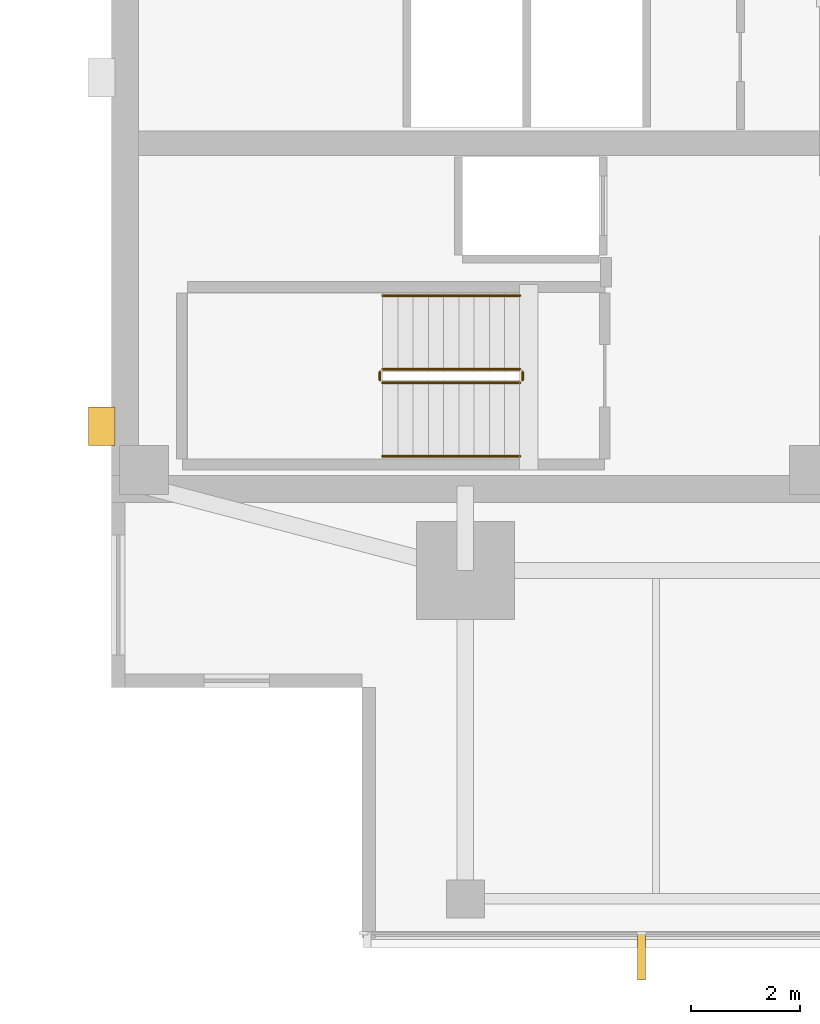
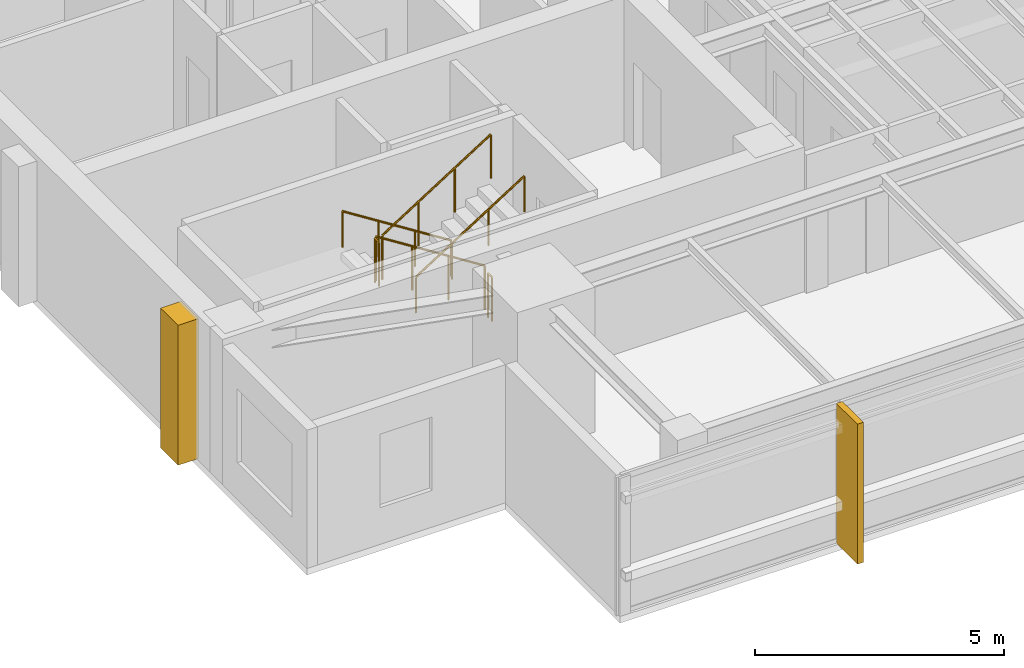
# One storey, part 11 of 14: 6 railings, 2 coverings.
"""IFC4 building model written with IfcOpenShell, lengths in metres."""

from ifc_helpers import new_model, si_unit, direction, frame, origin, origin_2d, place, context, subcontext, project, spatial, polyline, circle, outline, extrude, material, layer, layer_set, type_object, element, save


model = new_model("IFC4")

# Units and contexts
model_context = context("Model", 3, precision=1e-05, world=origin(), true_north=direction((0.0, 1.0)))
body_context = subcontext(model_context, "Body", "Model", "MODEL_VIEW")
ifc_project = project(units=[si_unit("LENGTHUNIT", "METRE"), si_unit("AREAUNIT", "SQUARE_METRE"), si_unit("VOLUMEUNIT", "CUBIC_METRE"), si_unit("PLANEANGLEUNIT", "RADIAN"), si_unit("MASSUNIT", "GRAM", prefix="KILO")], contexts=[model_context])

# Site, building, storey
site_placement = place(None, origin())
site = spatial("IfcSite", under=ifc_project, at=site_placement, CompositionType="ELEMENT")
building_placement = place(site_placement, origin())
building = spatial("IfcBuilding", under=site, at=building_placement, Name="Kinhvarn Gate Tower", CompositionType="ELEMENT")
storey_placement = place(building_placement, frame((0.0, 0.0, 256.35009765625)))
storey = spatial("IfcBuildingStorey", under=building, at=storey_placement, Name="L68", CompositionType="ELEMENT", Elevation=256.35009765625)

# Coverings
ifc_material_1 = material(Name="Fired architectural terracotta", Category="masonry")
ifc_layer_1 = layer(ifc_material_1, 0.139892578125)
ifc_layer_set_1 = layer_set([ifc_layer_1], Name="Fired architectural terracotta")
covering_type_1 = type_object("IfcCoveringType", Name="COV-FIN-850", PredefinedType="CLADDING", material=ifc_layer_set_1)
covering_1_placement = place(storey_placement, frame((0.0, 0.0, -0.02001953125)))
element("IfcCovering", 1, at=covering_1_placement, inside=storey, type_object=covering_type_1, Name="Vertical Terracotta Expressive Fin TFN-850 (L68)", PredefinedType="CLADDING", context=body_context, shape_type="SweptSolid", body=[
    extrude(outline(polyline([(14.163330078125, 6.080078125), (14.30322265625, 6.080078125), (14.30322265625, 5.22998046875), (14.163330078125, 5.22998046875), (14.163330078125, 6.080078125)])), origin(), (0.0, 0.0, 1.0), 3.429931640625),
])
ifc_material_2 = material(Name="Precast white architectural concrete C40/50", Category="concrete")
ifc_layer_2 = layer(ifc_material_2, 0.47998046875)
ifc_layer_set_2 = layer_set([ifc_layer_2], Name="Precast white architectural concrete C40/50")
covering_type_2 = type_object("IfcCoveringType", Name="COV-RIB-450", PredefinedType="CLADDING", material=ifc_layer_set_2)
covering_2_placement = place(storey_placement, frame((0.0, 0.0, -0.02001953125)))
element("IfcCovering", 2, at=covering_2_placement, inside=storey, type_object=covering_type_2, Name="West Core Sculptural Concrete Relief Rib CRB-450 (L68)", PredefinedType="CLADDING", context=body_context, shape_type="SweptSolid", body=[
    extrude(outline(polyline([(4.080078125, 15.050048828125), (4.56005859375, 15.050048828125), (4.56005859375, 15.75), (4.080078125, 15.75), (4.080078125, 15.050048828125)])), origin(), (0.0, 0.0, 1.0), 3.429931640625),
])

# Railings
ifc_material_3 = material(Name="Steel S355", Category="steel")
railing_type_1 = type_object("IfcRailingType", Name="RL-ST-GRD", PredefinedType="BALUSTRADE", material=ifc_material_3)
railing_1_placement = place(storey_placement, frame((12.0, 16.449951171875, 0.177490234375)))
element("IfcRailing", 3, at=railing_1_placement, inside=storey, type_object=railing_type_1, Name="L68 ST1 stair guard 1", PredefinedType="BALUSTRADE", context=body_context, shape_type="SweptSolid", body=[
    extrude(circle(Radius=0.02392578125, at=origin_2d()), frame((0.0, 0.0, 1.076171875), z_axis=(-0.84460694969, 0.0, 0.535386869969), x_axis=(0.0, -1.0, 0.0)), (0.0, 0.0, 1.0), 2.983642578125),
    extrude(circle(Radius=0.02099609375, at=origin_2d()), origin(), (0.0, 0.0, 1.0), 1.052001953125),
    extrude(circle(Radius=0.02099609375, at=origin_2d()), frame((-0.840087890625, 0.0, 0.532470703125)), (0.0, 0.0, 1.0), 1.052001953125),
    extrude(circle(Radius=0.02099609375, at=origin_2d()), frame((-1.679931640625, 0.0, 1.06494140625)), (0.0, 0.0, 1.0), 1.052001953125),
    extrude(circle(Radius=0.02099609375, at=origin_2d()), frame((-2.52001953125, 0.0, 1.597412109375)), (0.0, 0.0, 1.0), 1.052001953125),
])
railing_2_placement = place(storey_placement, frame((9.429931640625, 16.39990234375, 1.77490234375)))
element("IfcRailing", 4, at=railing_2_placement, inside=storey, type_object=railing_type_1, Name="L68 ST1 stair guard 2", PredefinedType="BALUSTRADE", context=body_context, shape_type="SweptSolid", body=[
    extrude(circle(Radius=0.02392578125, at=origin_2d()), frame((0.0, 0.0, 1.076171875), z_axis=(0.0, -1.0, 0.0), x_axis=(1.0, 0.0, 0.0)), (0.0, 0.0, 1.0), 0.14990234375),
    extrude(circle(Radius=0.02099609375, at=origin_2d()), origin(), (0.0, 0.0, 1.0), 1.052001953125),
    extrude(circle(Radius=0.02099609375, at=origin_2d()), frame((0.0, -0.14990234375, 0.0)), (0.0, 0.0, 1.0), 1.052001953125),
])
railing_3_placement = place(storey_placement, frame((9.47998046875, 16.199951171875, 1.952392578125)))
element("IfcRailing", 5, at=railing_3_placement, inside=storey, type_object=railing_type_1, Name="L68 ST1 stair guard 3", PredefinedType="BALUSTRADE", context=body_context, shape_type="SweptSolid", body=[
    extrude(circle(Radius=0.02392578125, at=origin_2d()), frame((0.0, 0.0, 1.076171875), z_axis=(0.84460694969, 0.0, 0.535386869969), x_axis=(0.0, 1.0, 0.0)), (0.0, 0.0, 1.0), 2.983642578125),
    extrude(circle(Radius=0.02099609375, at=origin_2d()), origin(), (0.0, 0.0, 1.0), 1.052001953125),
    extrude(circle(Radius=0.02099609375, at=origin_2d()), frame((0.840087890625, 0.0, 0.532470703125)), (0.0, 0.0, 1.0), 1.052001953125),
    extrude(circle(Radius=0.02099609375, at=origin_2d()), frame((1.679931640625, 0.0, 1.06494140625)), (0.0, 0.0, 1.0), 1.052001953125),
    extrude(circle(Radius=0.02099609375, at=origin_2d()), frame((2.52001953125, 0.0, 1.597412109375)), (0.0, 0.0, 1.0), 1.052001953125),
])
railing_4_placement = place(storey_placement, frame((12.050048828125, 16.39990234375, 0.0)))
element("IfcRailing", 6, at=railing_4_placement, inside=storey, type_object=railing_type_1, Name="L68 ST1 stair guard 4", PredefinedType="BALUSTRADE", context=body_context, shape_type="SweptSolid", body=[
    extrude(circle(Radius=0.02392578125, at=origin_2d()), frame((0.0, 0.0, 1.076171875), z_axis=(0.0, -1.0, 0.0), x_axis=(1.0, 0.0, 0.0)), (0.0, 0.0, 1.0), 0.14990234375),
    extrude(circle(Radius=0.02099609375, at=origin_2d()), origin(), (0.0, 0.0, 1.0), 1.052001953125),
    extrude(circle(Radius=0.02099609375, at=origin_2d()), frame((0.0, -0.14990234375, 0.0)), (0.0, 0.0, 1.0), 1.052001953125),
])
railing_type_2 = type_object("IfcRailingType", Name="RL-ST-HND", PredefinedType="HANDRAIL", material=ifc_material_3)
railing_5_placement = place(storey_placement, frame((12.0, 17.800048828125, 0.177490234375)))
element("IfcRailing", 7, at=railing_5_placement, inside=storey, type_object=railing_type_2, Name="L68 ST1 stair handrail 1", PredefinedType="HANDRAIL", context=body_context, shape_type="SweptSolid", body=[
    extrude(circle(Radius=0.02392578125, at=origin_2d()), frame((0.0, 0.0, 0.8759765625), z_axis=(-0.84460694969, 0.0, 0.535386869969), x_axis=(0.0, -1.0, 0.0)), (0.0, 0.0, 1.0), 2.983642578125),
    extrude(circle(Radius=0.02099609375, at=origin_2d()), origin(), (0.0, 0.0, 1.0), 0.851806640625),
    extrude(circle(Radius=0.02099609375, at=origin_2d()), frame((-0.840087890625, 0.0, 0.532470703125)), (0.0, 0.0, 1.0), 0.851806640625),
    extrude(circle(Radius=0.02099609375, at=origin_2d()), frame((-1.679931640625, 0.0, 1.06494140625)), (0.0, 0.0, 1.0), 0.851806640625),
    extrude(circle(Radius=0.02099609375, at=origin_2d()), frame((-2.52001953125, 0.0, 1.597412109375)), (0.0, 0.0, 1.0), 0.851806640625),
])
railing_6_placement = place(storey_placement, frame((9.47998046875, 14.85009765625, 1.952392578125)))
element("IfcRailing", 8, at=railing_6_placement, inside=storey, type_object=railing_type_2, Name="L68 ST1 stair handrail 2", PredefinedType="HANDRAIL", context=body_context, shape_type="SweptSolid", body=[
    extrude(circle(Radius=0.02392578125, at=origin_2d()), frame((0.0, 0.0, 0.8759765625), z_axis=(0.84460694969, 0.0, 0.535386869969), x_axis=(0.0, 1.0, 0.0)), (0.0, 0.0, 1.0), 2.983642578125),
    extrude(circle(Radius=0.02099609375, at=origin_2d()), origin(), (0.0, 0.0, 1.0), 0.851806640625),
    extrude(circle(Radius=0.02099609375, at=origin_2d()), frame((0.840087890625, 0.0, 0.532470703125)), (0.0, 0.0, 1.0), 0.851806640625),
    extrude(circle(Radius=0.02099609375, at=origin_2d()), frame((1.679931640625, 0.0, 1.06494140625)), (0.0, 0.0, 1.0), 0.851806640625),
    extrude(circle(Radius=0.02099609375, at=origin_2d()), frame((2.52001953125, 0.0, 1.597412109375)), (0.0, 0.0, 1.0), 0.851806640625),
])

save(model, "model.ifc")
